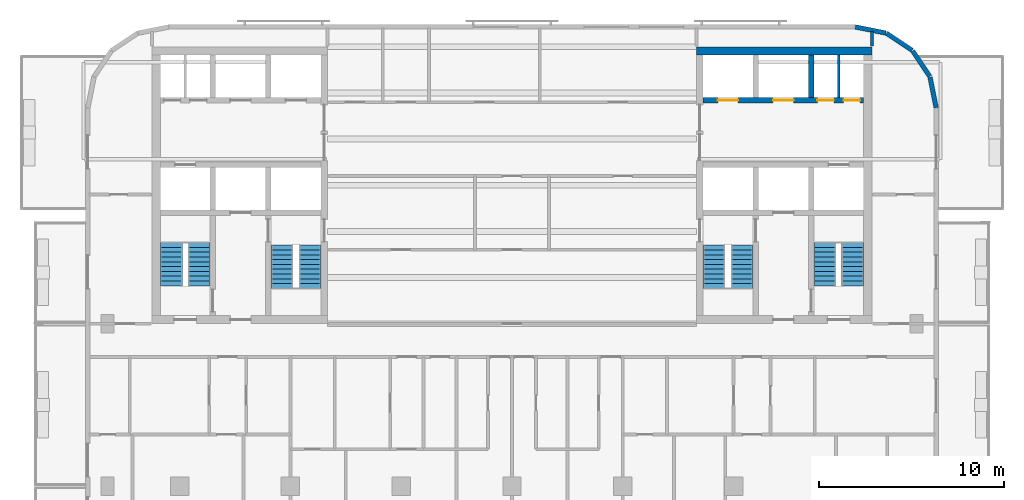
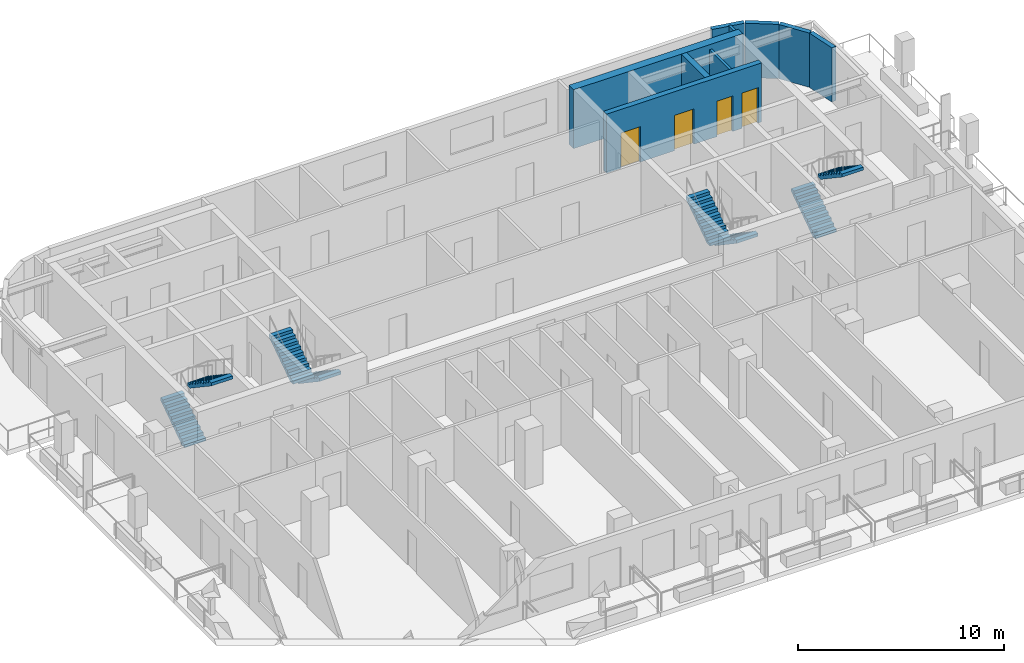
# One storey, part 7 of 11: 9 walls, 8 stair flights, 4 doors, 4 openings, 4 elements without a shape of their own.
"""IFC4 building model written with IfcOpenShell, lengths in metres."""

from ifc_helpers import new_model, si_unit, direction, frame, frame_2d, origin, place, context, subcontext, project, spatial, polyline, rectangle, outline, extrude, material, layer, layer_set, type_object, element, fill, aggregate, save


model = new_model("IFC4")

# Units and contexts
model_context = context("Model", 3, precision=1e-05, world=origin(), true_north=direction((0.0, 1.0)))
body_context = subcontext(model_context, "Body", "Model", "MODEL_VIEW")
ifc_project = project(units=[si_unit("LENGTHUNIT", "METRE"), si_unit("AREAUNIT", "SQUARE_METRE"), si_unit("VOLUMEUNIT", "CUBIC_METRE"), si_unit("PLANEANGLEUNIT", "RADIAN"), si_unit("MASSUNIT", "GRAM", prefix="KILO")], contexts=[model_context])

# Site, building, storey
site_placement = place(None, origin())
site = spatial("IfcSite", under=ifc_project, at=site_placement, CompositionType="ELEMENT")
building_placement = place(site_placement, origin())
building = spatial("IfcBuilding", under=site, at=building_placement, Name="Torana Hotel and Residences", CompositionType="ELEMENT")
storey_placement = place(building_placement, frame((0.0, 0.0, 284.10009765625)))
storey = spatial("IfcBuildingStorey", under=building, at=storey_placement, Name="L75", CompositionType="ELEMENT", Elevation=284.10009765625)

# Wall, openings, doors
ifc_material_1 = material(Name="Concrete C60/75", Category="concrete")
ifc_layer_1 = layer(ifc_material_1, 0.300048828125)
ifc_layer_set_1 = layer_set([ifc_layer_1], Name="CORE WALL 300 C60/75")
wall_type_1 = type_object("IfcWallType", Name="CORE WALL 300 C60/75", PredefinedType="SHEAR", material=ifc_layer_set_1)
wall_1_placement = place(storey_placement, frame((10.35009765625, -2.89990234375, 0.0), z_axis=(0.0, 0.0, 1.0), x_axis=(1.0, 0.0, 0.0)))
wall_1 = element("IfcWall", 1, at=wall_1_placement, inside=storey, type_object=wall_type_1, Name="Core wall E row-N", PredefinedType="SHEAR", context=body_context, shape_type="SweptSolid", body=[
    extrude(rectangle(XDim=8.699951171875, YDim=0.300048828125, at=frame_2d((4.35009765625, 0.0))), origin(), (0.0, 0.0, 1.0), 3.5),
])
opening_1_placement = place(wall_1_placement, frame((0.800048828125, 0.0, 0.0)))
opening_1 = element("IfcOpeningElement", 2, at=opening_1_placement, cuts=wall_1, Name="Opening LD", PredefinedType="OPENING", context=body_context, shape_type="SweptSolid", body=[
    extrude(rectangle(XDim=1.10009765625, YDim=2.10009765625, at=frame_2d((0.550048828125, 1.050048828125))), frame((0.0, 0.159912109375, 0.0), z_axis=(0.0, -1.0, 0.0), x_axis=(1.0, 0.0, 0.0)), (0.0, 0.0, 1.0), 0.320068359375),
])
opening_2_placement = place(wall_1_placement, frame((3.800048828125, 0.0, 0.0)))
opening_2 = element("IfcOpeningElement", 3, at=opening_2_placement, cuts=wall_1, Name="Opening LD", PredefinedType="OPENING", context=body_context, shape_type="SweptSolid", body=[
    extrude(rectangle(XDim=1.10009765625, YDim=2.10009765625, at=frame_2d((0.550048828125, 1.050048828125))), frame((0.0, 0.159912109375, 0.0), z_axis=(0.0, -1.0, 0.0), x_axis=(1.0, 0.0, 0.0)), (0.0, 0.0, 1.0), 0.320068359375),
])
opening_3_placement = place(wall_1_placement, frame((6.1875, 0.0, 0.0)))
opening_3 = element("IfcOpeningElement", 4, at=opening_3_placement, cuts=wall_1, Name="Opening L75-15", PredefinedType="OPENING", context=body_context, shape_type="SweptSolid", body=[
    extrude(rectangle(XDim=0.89990234375, YDim=2.10009765625, at=frame_2d((0.449951171875, 1.050048828125))), frame((0.0, 0.159912109375, 0.0), z_axis=(0.0, -1.0, 0.0), x_axis=(1.0, 0.0, 0.0)), (0.0, 0.0, 1.0), 0.320068359375),
])
opening_4_placement = place(wall_1_placement, frame((7.612548828125, 0.0, 0.0)))
opening_4 = element("IfcOpeningElement", 5, at=opening_4_placement, cuts=wall_1, Name="Opening L75-16", PredefinedType="OPENING", context=body_context, shape_type="SweptSolid", body=[
    extrude(rectangle(XDim=0.89990234375, YDim=2.10009765625, at=frame_2d((0.449951171875, 1.050048828125))), frame((0.0, 0.159912109375, 0.0), z_axis=(0.0, -1.0, 0.0), x_axis=(1.0, 0.0, 0.0)), (0.0, 0.0, 1.0), 0.320068359375),
])
ifc_material_2 = material(Name="Stainless steel 316", Category="steel")
door_type_1 = type_object("IfcDoorType", Name="LIFT LANDING DOOR LD 1100x2100", OperationType="DOUBLE_DOOR_SLIDING", PredefinedType="USERDEFINED", material=ifc_material_2)
door_1_placement = place(opening_1_placement, origin())
door_1 = element("IfcDoor", 6, at=door_1_placement, inside=storey, type_object=door_type_1, Name="Lift landing door H3 L75", ObjectType="LIFT LANDING DOOR", OperationType="DOUBLE_DOOR_SLIDING", OverallHeight=2.10009765625, OverallWidth=1.10009765625, PredefinedType="USERDEFINED", context=body_context, shape_type="SweptSolid", body=[
    extrude(rectangle(XDim=1.10009765625, YDim=2.10009765625, at=frame_2d((0.550048828125, 1.050048828125))), frame((0.0, 0.02490234375, 0.0), z_axis=(0.0, -1.0, 0.0), x_axis=(1.0, 0.0, 0.0)), (0.0, 0.0, 1.0), 0.050048828125),
])
fill(opening_1, door_1)
door_2_placement = place(opening_2_placement, origin())
door_2 = element("IfcDoor", 7, at=door_2_placement, inside=storey, type_object=door_type_1, Name="Lift landing door H4 L75", ObjectType="LIFT LANDING DOOR", OperationType="DOUBLE_DOOR_SLIDING", OverallHeight=2.10009765625, OverallWidth=1.10009765625, PredefinedType="USERDEFINED", context=body_context, shape_type="SweptSolid", body=[
    extrude(rectangle(XDim=1.10009765625, YDim=2.10009765625, at=frame_2d((0.550048828125, 1.050048828125))), frame((0.0, 0.02490234375, 0.0), z_axis=(0.0, -1.0, 0.0), x_axis=(1.0, 0.0, 0.0)), (0.0, 0.0, 1.0), 0.050048828125),
])
fill(opening_2, door_2)
ifc_material_3 = material(Name="Steel S235", Category="steel")
door_type_2 = type_object("IfcDoorType", Name="RISER ACCESS DOOR D5 900x2100", OperationType="SINGLE_SWING_LEFT", PredefinedType="DOOR", material=ifc_material_3)
door_3_placement = place(opening_3_placement, origin())
door_3 = element("IfcDoor", 8, at=door_3_placement, inside=storey, type_object=door_type_2, Name="N2A door L75", OperationType="SINGLE_SWING_RIGHT", OverallHeight=2.10009765625, OverallWidth=0.89990234375, PredefinedType="DOOR", context=body_context, shape_type="SweptSolid", body=[
    extrude(rectangle(XDim=0.89990234375, YDim=2.10009765625, at=frame_2d((0.449951171875, 1.050048828125))), frame((0.0, 0.02490234375, 0.0), z_axis=(0.0, -1.0, 0.0), x_axis=(1.0, 0.0, 0.0)), (0.0, 0.0, 1.0), 0.050048828125),
])
fill(opening_3, door_3)
door_4_placement = place(opening_4_placement, origin())
door_4 = element("IfcDoor", 9, at=door_4_placement, inside=storey, type_object=door_type_2, Name="N2B door L75", OperationType="SINGLE_SWING_RIGHT", OverallHeight=2.10009765625, OverallWidth=0.89990234375, PredefinedType="DOOR", context=body_context, shape_type="SweptSolid", body=[
    extrude(rectangle(XDim=0.89990234375, YDim=2.10009765625, at=frame_2d((0.449951171875, 1.050048828125))), frame((0.0, 0.02490234375, 0.0), z_axis=(0.0, -1.0, 0.0), x_axis=(1.0, 0.0, 0.0)), (0.0, 0.0, 1.0), 0.050048828125),
])
fill(opening_4, door_4)

# Walls
wall_2_placement = place(storey_placement, frame((16.199951171875, -2.75, 0.0), z_axis=(0.0, 0.0, 1.0), x_axis=(0.0, 1.0, 0.0)))
element("IfcWall", 10, at=wall_2_placement, inside=storey, type_object=wall_type_1, Name="Core wall E x6.05-N", PredefinedType="SHEAR", context=body_context, shape_type="SweptSolid", body=[
    extrude(rectangle(XDim=2.300048828125, YDim=0.300048828125, at=frame_2d((1.14990234375, 0.0))), origin(), (0.0, 0.0, 1.0), 3.5),
])
ifc_material_4 = material(Name="Concrete C60/75", Category="concrete")
ifc_layer_2 = layer(ifc_material_4, 0.449951171875)
ifc_layer_set_2 = layer_set([ifc_layer_2], Name="CORE WALL 450 C60/75")
wall_type_2 = type_object("IfcWallType", Name="CORE WALL 450 C60/75", PredefinedType="SHEAR", material=ifc_layer_set_2)
wall_3_placement = place(storey_placement, frame((10.0, -0.22509765625, 0.0), z_axis=(0.0, 0.0, 1.0), x_axis=(1.0, 0.0, 0.0)))
element("IfcWall", 11, at=wall_3_placement, inside=storey, type_object=wall_type_2, Name="Core wall E rear", PredefinedType="SHEAR", context=body_context, shape_type="SweptSolid", body=[
    extrude(rectangle(XDim=9.5, YDim=0.449951171875, at=frame_2d((4.75, 0.0))), origin(), (0.0, 0.0, 1.0), 3.5),
])
ifc_material_5 = material(Name="Black aluminium composite panel", Category="aluminium")
ifc_layer_3 = layer(ifc_material_5, 0.00390625, Name="Cladding", Category="cladding")
ifc_material_6 = material(Name="Ventilated air cavity")
ifc_layer_4 = layer(ifc_material_6, 0.0400390625, Name="Ventilated cavity", Category="cavity")
ifc_material_7 = material(Name="Mineral wool insulation")
ifc_layer_5 = layer(ifc_material_7, 0.090087890625, Name="Insulation", Category="insulation")
ifc_material_8 = material(Name="Steel S280GD", Category="steel")
ifc_layer_6 = layer(ifc_material_8, 0.092041015625, Name="Steel stud frame", Category="structure")
ifc_material_9 = material(Name="Fire rated plasterboard")
ifc_layer_7 = layer(ifc_material_9, 0.011962890625, Name="Inner board", Category="finish")
ifc_layer_8 = layer(ifc_material_9, 0.011962890625, Name="Second board", Category="finish")
ifc_layer_set_3 = layer_set([ifc_layer_3, ifc_layer_4, ifc_layer_5, ifc_layer_6, ifc_layer_7, ifc_layer_8], Name="EW1 EXTERNAL WALL BLACK METAL CLAD 250")
wall_type_3 = type_object("IfcWallType", Name="EW1 EXTERNAL WALL BLACK METAL CLAD 250", PredefinedType="SOLIDWALL", material=ifc_layer_set_3)
wall_4_placement = place(storey_placement, frame((22.97265625, -3.30029296875, 0.0), z_axis=(0.0, 0.0, 1.0), x_axis=(-0.19513878023, 0.980775640221, 0.0)))
element("IfcWall", 12, at=wall_4_placement, inside=storey, type_object=wall_type_3, Name="External wall L75 e0.0", PredefinedType="SOLIDWALL", context=body_context, shape_type="SweptSolid", body=[
    extrude(rectangle(XDim=1.681396484375, YDim=0.25, at=frame_2d((0.8408203125, 0.0))), origin(), (0.0, 0.0, 1.0), 3.219970703125),
])
for number, where, z_axis, x_axis, name in (
    (13, (22.6259765625, -1.60595703125, 0.0), (0.0, 0.0, 1.0), (-0.55555029066, 0.831482937015, 0.0), "External wall L75 e0.1"),
    (14, (21.671142578125, -0.1943359375, 0.0), (0.0, 0.0, 1.0), (-0.831482937015, 0.55555029066, 0.0), "External wall L75 e0.2"),
):
    element("IfcWall", number, at=place(storey_placement, frame(where, z_axis=z_axis, x_axis=x_axis)), inside=storey, type_object=wall_type_3, Name=name, PredefinedType="SOLIDWALL", context=body_context, shape_type="SweptSolid", body=[
        extrude(rectangle(XDim=1.65625, YDim=0.25, at=frame_2d((0.828125, 0.0))), origin(), (0.0, 0.0, 1.0), 3.219970703125),
    ])
wall_5_placement = place(storey_placement, frame((20.248779296875, 0.74462890625, 0.0), z_axis=(0.0, 0.0, 1.0), x_axis=(-0.980797896849, 0.195026884138, 0.0)))
element("IfcWall", 15, at=wall_5_placement, inside=storey, type_object=wall_type_3, Name="External wall L75 e0.3", PredefinedType="SOLIDWALL", context=body_context, shape_type="SweptSolid", body=[
    extrude(rectangle(XDim=1.68115234375, YDim=0.25, at=frame_2d((0.840576171875, 0.0))), origin(), (0.0, 0.0, 1.0), 3.219970703125),
])
ifc_material_10 = material(Name="Gypsum plaster")
ifc_layer_9 = layer(ifc_material_10, 0.014892578125, Name="Plaster", Category="finish")
ifc_material_11 = material(Name="Concrete blockwork", Category="masonry")
ifc_layer_10 = layer(ifc_material_11, 0.1201171875, Name="Blockwork", Category="structure")
ifc_layer_11 = layer(ifc_material_10, 0.014892578125, Name="Plaster", Category="finish")
ifc_layer_set_4 = layer_set([ifc_layer_9, ifc_layer_10, ifc_layer_11], Name="FIRE PARTITION 150 BLOCKWORK")
wall_type_4 = type_object("IfcWallType", Name="FIRE PARTITION 150 BLOCKWORK", PredefinedType="PARTITIONING", material=ifc_layer_set_4)
wall_6_placement = place(storey_placement, frame((17.699951171875, -2.75, 0.0), z_axis=(0.0, 0.0, 1.0), x_axis=(0.0, 1.0, 0.0)))
element("IfcWall", 16, at=wall_6_placement, inside=storey, type_object=wall_type_4, Name="Core partition L75", PredefinedType="PARTITIONING", context=body_context, shape_type="SweptSolid", body=[
    extrude(rectangle(XDim=2.300048828125, YDim=0.14990234375, at=frame_2d((1.14990234375, 0.0))), origin(), (0.0, 0.0, 1.0), 3.199951171875),
])
ifc_material_12 = material(Name="Gypsum plasterboard")
ifc_layer_12 = layer(ifc_material_12, 0.012451171875, Name="Plasterboard", Category="finish")
ifc_layer_13 = layer(ifc_material_12, 0.012451171875, Name="Plasterboard", Category="finish")
ifc_layer_14 = layer(ifc_material_8, 0.10009765625, Name="Steel studs with mineral wool", Category="insulation")
ifc_layer_15 = layer(ifc_material_12, 0.012451171875, Name="Plasterboard", Category="finish")
ifc_layer_16 = layer(ifc_material_12, 0.012451171875, Name="Plasterboard", Category="finish")
ifc_layer_set_5 = layer_set([ifc_layer_12, ifc_layer_13, ifc_layer_14, ifc_layer_15, ifc_layer_16], Name="PARTITION 150 PLASTERBOARD")
wall_type_5 = type_object("IfcWallType", Name="PARTITION 150 PLASTERBOARD", PredefinedType="PARTITIONING", material=ifc_layer_set_5)
wall_7_placement = place(storey_placement, frame((19.5, 0.050048828125, 0.0), z_axis=(0.0, 0.0, 1.0), x_axis=(0.0, 1.0, 0.0)))
element("IfcWall", 17, at=wall_7_placement, inside=storey, type_object=wall_type_5, Name="Partition L75", PredefinedType="PARTITIONING", context=body_context, shape_type="SweptSolid", body=[
    extrude(rectangle(XDim=0.787353515625, YDim=0.14990234375, at=frame_2d((0.3935546875, 0.0))), origin(), (0.0, 0.0, 1.0), 3.219970703125),
])

# Stair, stair flights
ifc_material_13 = material(Name="Concrete C40/50 precast", Category="concrete")
stair_type_1 = type_object("IfcStairType", Name="STAIR ST1 HALF TURN 1200", PredefinedType="HALF_TURN_STAIR", material=ifc_material_13)
stair_1_placement = place(storey_placement, origin())
stair_1 = element("IfcStair", 18, at=stair_1_placement, inside=storey, type_object=stair_type_1, Name="Stair ST1 L75", PredefinedType="HALF_TURN_STAIR")
ifc_material_14 = material(Name="Concrete C40/50 precast", Category="concrete")
stair_flight_type = type_object("IfcStairFlightType", Name="STAIR FLIGHT 1200 PRECAST", PredefinedType="STRAIGHT", material=ifc_material_14)
stair_flight_1_placement = place(storey_placement, frame((-10.949951171875, -10.75, 0.0), z_axis=(0.0, 0.0, 1.0), x_axis=(0.0, -1.0, 0.0)))
stair_flight_1 = element("IfcStairFlight", 19, at=stair_flight_1_placement, type_object=stair_flight_type, Name="ST1 flight 1", NumberOfRisers=10, NumberOfTreads=9, PredefinedType="STRAIGHT", RiserHeight=0.175, TreadLength=0.26, context=body_context, shape_type="SweptSolid", body=[
    extrude(outline(polyline([(0.0, 0.0), (0.0, 0.175048828125), (0.260009765625, 0.175048828125), (0.260009765625, 0.35009765625), (0.52001953125, 0.35009765625), (0.52001953125, 0.52490234375), (0.780029296875, 0.52490234375), (0.780029296875, 0.699951171875), (1.0400390625, 0.699951171875), (1.0400390625, 0.875), (1.300048828125, 0.875), (1.300048828125, 1.050048828125), (1.56005859375, 1.050048828125), (1.56005859375, 1.22509765625), (1.820068359375, 1.22509765625), (1.820068359375, 1.39990234375), (2.080078125, 1.39990234375), (2.080078125, 1.574951171875), (2.340087890625, 1.574951171875), (2.340087890625, 1.75), (2.340087890625, 1.394287109375), (0.2685546875, 0.0), (0.0, 0.0)])), frame((0.0, 0.60009765625, 0.0), z_axis=(0.0, -1.0, 0.0), x_axis=(1.0, 0.0, 0.0)), (0.0, 0.0, 1.0), 1.199951171875),
])
stair_flight_2_placement = place(storey_placement, frame((-12.449951171875, -13.090087890625, 1.75), z_axis=(0.0, 0.0, 1.0), x_axis=(0.0, 1.0, 0.0)))
stair_flight_2 = element("IfcStairFlight", 20, at=stair_flight_2_placement, type_object=stair_flight_type, Name="ST1 flight 2", NumberOfRisers=10, NumberOfTreads=9, PredefinedType="STRAIGHT", RiserHeight=0.175, TreadLength=0.26, context=body_context, shape_type="SweptSolid", body=[
    extrude(outline(polyline([(0.0, 0.0), (0.0, 0.175048828125), (0.260009765625, 0.175048828125), (0.260009765625, 0.35009765625), (0.52001953125, 0.35009765625), (0.52001953125, 0.52490234375), (0.780029296875, 0.52490234375), (0.780029296875, 0.699951171875), (1.0400390625, 0.699951171875), (1.0400390625, 0.875), (1.300048828125, 0.875), (1.300048828125, 1.050048828125), (1.56005859375, 1.050048828125), (1.56005859375, 1.22509765625), (1.820068359375, 1.22509765625), (1.820068359375, 1.39990234375), (2.080078125, 1.39990234375), (2.080078125, 1.574951171875), (2.340087890625, 1.574951171875), (2.340087890625, 1.75), (2.340087890625, 1.394287109375), (0.2685546875, 0.0), (0.0, 0.0)])), frame((0.0, 0.60009765625, 0.0), z_axis=(0.0, -1.0, 0.0), x_axis=(1.0, 0.0, 0.0)), (0.0, 0.0, 1.0), 1.199951171875),
])
aggregate(stair_1, [stair_flight_1, stair_flight_2])

ifc_material_15 = material(Name="Concrete C40/50 precast", Category="concrete")
stair_type_2 = type_object("IfcStairType", Name="STAIR ST2 HALF TURN 1200", PredefinedType="HALF_TURN_STAIR", material=ifc_material_15)
stair_2_placement = place(storey_placement, origin())
stair_2 = element("IfcStair", 21, at=stair_2_placement, inside=storey, type_object=stair_type_2, Name="Stair ST2 L75", PredefinedType="HALF_TURN_STAIR")
stair_flight_3_placement = place(storey_placement, frame((-18.449951171875, -12.949951171875, 0.0), z_axis=(0.0, 0.0, 1.0), x_axis=(0.0, 1.0, 0.0)))
stair_flight_3 = element("IfcStairFlight", 22, at=stair_flight_3_placement, type_object=stair_flight_type, Name="ST2 flight 1", NumberOfRisers=10, NumberOfTreads=9, PredefinedType="STRAIGHT", RiserHeight=0.175, TreadLength=0.26, context=body_context, shape_type="SweptSolid", body=[
    extrude(outline(polyline([(0.0, 0.0), (0.0, 0.175048828125), (0.260009765625, 0.175048828125), (0.260009765625, 0.35009765625), (0.52001953125, 0.35009765625), (0.52001953125, 0.52490234375), (0.780029296875, 0.52490234375), (0.780029296875, 0.699951171875), (1.0400390625, 0.699951171875), (1.0400390625, 0.875), (1.300048828125, 0.875), (1.300048828125, 1.050048828125), (1.56005859375, 1.050048828125), (1.56005859375, 1.22509765625), (1.820068359375, 1.22509765625), (1.820068359375, 1.39990234375), (2.080078125, 1.39990234375), (2.080078125, 1.574951171875), (2.340087890625, 1.574951171875), (2.340087890625, 1.75), (2.340087890625, 1.394287109375), (0.2685546875, 0.0), (0.0, 0.0)])), frame((0.0, 0.60009765625, 0.0), z_axis=(0.0, -1.0, 0.0), x_axis=(1.0, 0.0, 0.0)), (0.0, 0.0, 1.0), 1.199951171875),
])
stair_flight_4_placement = place(storey_placement, frame((-16.949951171875, -10.610107421875, 1.75), z_axis=(0.0, 0.0, 1.0), x_axis=(0.0, -1.0, 0.0)))
stair_flight_4 = element("IfcStairFlight", 23, at=stair_flight_4_placement, type_object=stair_flight_type, Name="ST2 flight 2", NumberOfRisers=10, NumberOfTreads=9, PredefinedType="STRAIGHT", RiserHeight=0.175, TreadLength=0.26, context=body_context, shape_type="SweptSolid", body=[
    extrude(outline(polyline([(0.0, 0.0), (0.0, 0.175048828125), (0.260009765625, 0.175048828125), (0.260009765625, 0.35009765625), (0.52001953125, 0.35009765625), (0.52001953125, 0.52490234375), (0.780029296875, 0.52490234375), (0.780029296875, 0.699951171875), (1.0400390625, 0.699951171875), (1.0400390625, 0.875), (1.300048828125, 0.875), (1.300048828125, 1.050048828125), (1.56005859375, 1.050048828125), (1.56005859375, 1.22509765625), (1.820068359375, 1.22509765625), (1.820068359375, 1.39990234375), (2.080078125, 1.39990234375), (2.080078125, 1.574951171875), (2.340087890625, 1.574951171875), (2.340087890625, 1.75), (2.340087890625, 1.394287109375), (0.2685546875, 0.0), (0.0, 0.0)])), frame((0.0, 0.60009765625, 0.0), z_axis=(0.0, -1.0, 0.0), x_axis=(1.0, 0.0, 0.0)), (0.0, 0.0, 1.0), 1.199951171875),
])
aggregate(stair_2, [stair_flight_3, stair_flight_4])

ifc_material_16 = material(Name="Concrete C40/50 precast", Category="concrete")
stair_type_3 = type_object("IfcStairType", Name="STAIR ST3 HALF TURN 1200", PredefinedType="HALF_TURN_STAIR", material=ifc_material_16)
stair_3_placement = place(storey_placement, origin())
stair_3 = element("IfcStair", 24, at=stair_3_placement, inside=storey, type_object=stair_type_3, Name="Stair ST3 L75", PredefinedType="HALF_TURN_STAIR")
stair_flight_5_placement = place(storey_placement, frame((12.449951171875, -10.75, 0.0), z_axis=(0.0, 0.0, 1.0), x_axis=(0.0, -1.0, 0.0)))
stair_flight_5 = element("IfcStairFlight", 25, at=stair_flight_5_placement, type_object=stair_flight_type, Name="ST3 flight 1", NumberOfRisers=10, NumberOfTreads=9, PredefinedType="STRAIGHT", RiserHeight=0.175, TreadLength=0.26, context=body_context, shape_type="SweptSolid", body=[
    extrude(outline(polyline([(0.0, 0.0), (0.0, 0.175048828125), (0.260009765625, 0.175048828125), (0.260009765625, 0.35009765625), (0.52001953125, 0.35009765625), (0.52001953125, 0.52490234375), (0.780029296875, 0.52490234375), (0.780029296875, 0.699951171875), (1.0400390625, 0.699951171875), (1.0400390625, 0.875), (1.300048828125, 0.875), (1.300048828125, 1.050048828125), (1.56005859375, 1.050048828125), (1.56005859375, 1.22509765625), (1.820068359375, 1.22509765625), (1.820068359375, 1.39990234375), (2.080078125, 1.39990234375), (2.080078125, 1.574951171875), (2.340087890625, 1.574951171875), (2.340087890625, 1.75), (2.340087890625, 1.394287109375), (0.2685546875, 0.0), (0.0, 0.0)])), frame((0.0, 0.60009765625, 0.0), z_axis=(0.0, -1.0, 0.0), x_axis=(1.0, 0.0, 0.0)), (0.0, 0.0, 1.0), 1.199951171875),
])
stair_flight_6_placement = place(storey_placement, frame((10.949951171875, -13.090087890625, 1.75), z_axis=(0.0, 0.0, 1.0), x_axis=(0.0, 1.0, 0.0)))
stair_flight_6 = element("IfcStairFlight", 26, at=stair_flight_6_placement, type_object=stair_flight_type, Name="ST3 flight 2", NumberOfRisers=10, NumberOfTreads=9, PredefinedType="STRAIGHT", RiserHeight=0.175, TreadLength=0.26, context=body_context, shape_type="SweptSolid", body=[
    extrude(outline(polyline([(0.0, 0.0), (0.0, 0.175048828125), (0.260009765625, 0.175048828125), (0.260009765625, 0.35009765625), (0.52001953125, 0.35009765625), (0.52001953125, 0.52490234375), (0.780029296875, 0.52490234375), (0.780029296875, 0.699951171875), (1.0400390625, 0.699951171875), (1.0400390625, 0.875), (1.300048828125, 0.875), (1.300048828125, 1.050048828125), (1.56005859375, 1.050048828125), (1.56005859375, 1.22509765625), (1.820068359375, 1.22509765625), (1.820068359375, 1.39990234375), (2.080078125, 1.39990234375), (2.080078125, 1.574951171875), (2.340087890625, 1.574951171875), (2.340087890625, 1.75), (2.340087890625, 1.394287109375), (0.2685546875, 0.0), (0.0, 0.0)])), frame((0.0, 0.60009765625, 0.0), z_axis=(0.0, -1.0, 0.0), x_axis=(1.0, 0.0, 0.0)), (0.0, 0.0, 1.0), 1.199951171875),
])
aggregate(stair_3, [stair_flight_5, stair_flight_6])

ifc_material_17 = material(Name="Concrete C40/50 precast", Category="concrete")
stair_type_4 = type_object("IfcStairType", Name="STAIR ST4 HALF TURN 1200", PredefinedType="HALF_TURN_STAIR", material=ifc_material_17)
stair_4_placement = place(storey_placement, origin())
stair_4 = element("IfcStair", 27, at=stair_4_placement, inside=storey, type_object=stair_type_4, Name="Stair ST4 L75", PredefinedType="HALF_TURN_STAIR")
stair_flight_7_placement = place(storey_placement, frame((16.949951171875, -12.949951171875, 0.0), z_axis=(0.0, 0.0, 1.0), x_axis=(0.0, 1.0, 0.0)))
stair_flight_7 = element("IfcStairFlight", 28, at=stair_flight_7_placement, type_object=stair_flight_type, Name="ST4 flight 1", NumberOfRisers=10, NumberOfTreads=9, PredefinedType="STRAIGHT", RiserHeight=0.175, TreadLength=0.26, context=body_context, shape_type="SweptSolid", body=[
    extrude(outline(polyline([(0.0, 0.0), (0.0, 0.175048828125), (0.260009765625, 0.175048828125), (0.260009765625, 0.35009765625), (0.52001953125, 0.35009765625), (0.52001953125, 0.52490234375), (0.780029296875, 0.52490234375), (0.780029296875, 0.699951171875), (1.0400390625, 0.699951171875), (1.0400390625, 0.875), (1.300048828125, 0.875), (1.300048828125, 1.050048828125), (1.56005859375, 1.050048828125), (1.56005859375, 1.22509765625), (1.820068359375, 1.22509765625), (1.820068359375, 1.39990234375), (2.080078125, 1.39990234375), (2.080078125, 1.574951171875), (2.340087890625, 1.574951171875), (2.340087890625, 1.75), (2.340087890625, 1.394287109375), (0.2685546875, 0.0), (0.0, 0.0)])), frame((0.0, 0.60009765625, 0.0), z_axis=(0.0, -1.0, 0.0), x_axis=(1.0, 0.0, 0.0)), (0.0, 0.0, 1.0), 1.199951171875),
])
stair_flight_8_placement = place(storey_placement, frame((18.449951171875, -10.610107421875, 1.75), z_axis=(0.0, 0.0, 1.0), x_axis=(0.0, -1.0, 0.0)))
stair_flight_8 = element("IfcStairFlight", 29, at=stair_flight_8_placement, type_object=stair_flight_type, Name="ST4 flight 2", NumberOfRisers=10, NumberOfTreads=9, PredefinedType="STRAIGHT", RiserHeight=0.175, TreadLength=0.26, context=body_context, shape_type="SweptSolid", body=[
    extrude(outline(polyline([(0.0, 0.0), (0.0, 0.175048828125), (0.260009765625, 0.175048828125), (0.260009765625, 0.35009765625), (0.52001953125, 0.35009765625), (0.52001953125, 0.52490234375), (0.780029296875, 0.52490234375), (0.780029296875, 0.699951171875), (1.0400390625, 0.699951171875), (1.0400390625, 0.875), (1.300048828125, 0.875), (1.300048828125, 1.050048828125), (1.56005859375, 1.050048828125), (1.56005859375, 1.22509765625), (1.820068359375, 1.22509765625), (1.820068359375, 1.39990234375), (2.080078125, 1.39990234375), (2.080078125, 1.574951171875), (2.340087890625, 1.574951171875), (2.340087890625, 1.75), (2.340087890625, 1.394287109375), (0.2685546875, 0.0), (0.0, 0.0)])), frame((0.0, 0.60009765625, 0.0), z_axis=(0.0, -1.0, 0.0), x_axis=(1.0, 0.0, 0.0)), (0.0, 0.0, 1.0), 1.199951171875),
])
aggregate(stair_4, [stair_flight_7, stair_flight_8])

save(model, "model.ifc")
